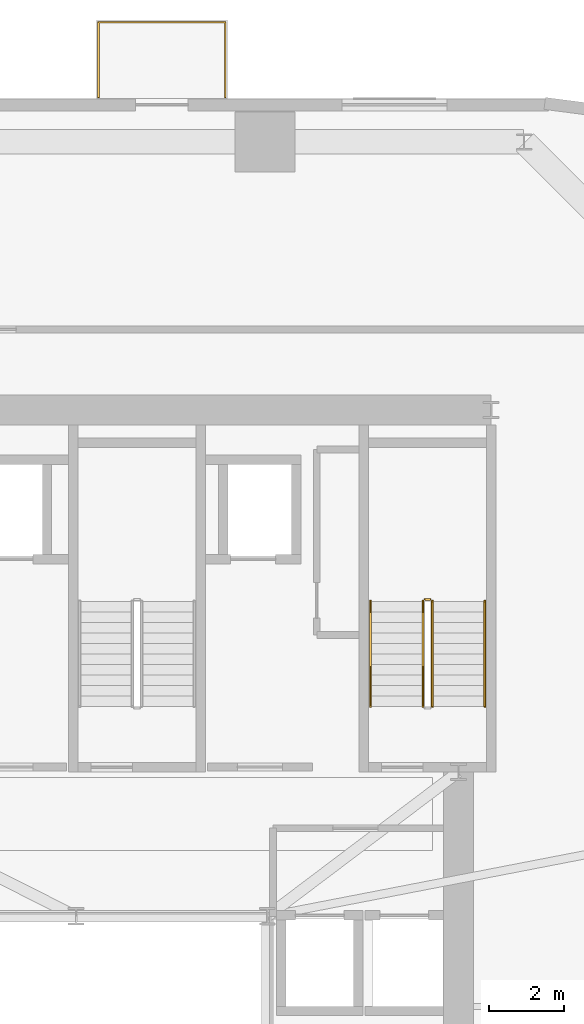
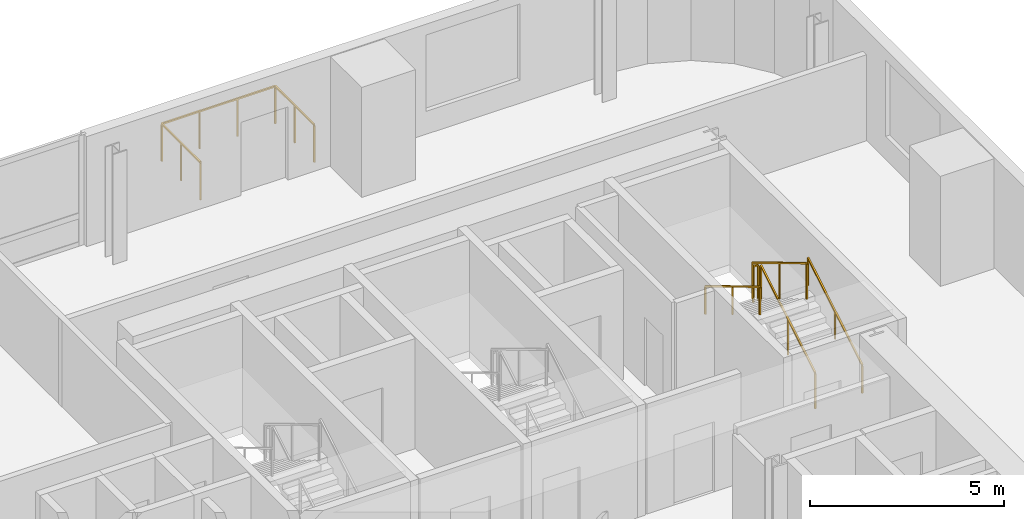
# One storey, part 14 of 14: 6 railings.
"""IFC4 building model written with IfcOpenShell, lengths in metres."""

import ifcopenshell
import ifcopenshell.guid

model = None  # the IFC model being written
_history = None  # IfcOwnerHistory: only IFC2X3 demands one
_inside = {}  # id of a spatial element -> (the spatial element, [elements in it])
_under = {}  # id of a project, library or spatial element -> (it, [spatial elements below it])
_declared = {}  # id of a project -> (the project, [libraries it declares])
_typed = {}  # id of a type object -> (the type object, [elements of that type])
_made_of = {}  # id of a material, layer set ... -> (it, [elements and type objects made of it])


def new_model(schema):
    """Start an empty IFC model of exactly this schema.

    Asked for "IFC4X3", IfcOpenShell would pick the latest addendum, in which some entities
    have other attributes; the version numbers below select the first issue.
    IFC2X3 requires an IfcOwnerHistory on every rooted entity: one is made here for all.
    """
    global model, _history
    if schema == "IFC4X3":
        model = ifcopenshell.file(schema_version=(4, 3, 0, 0))
    else:
        model = ifcopenshell.file(schema=schema)
    _inside.clear()
    _under.clear()
    _declared.clear()
    _typed.clear()
    _made_of.clear()
    _history = None
    if model.schema == "IFC2X3":
        org = make("IfcOrganization", Name="unknown")
        user = make(
            "IfcPersonAndOrganization",
            ThePerson=make("IfcPerson", FamilyName="unknown"),
            TheOrganization=org,
        )
        app = make(
            "IfcApplication",
            ApplicationDeveloper=org,
            Version="unknown",
            ApplicationFullName="unknown",
            ApplicationIdentifier="unknown",
        )
        _history = make(
            "IfcOwnerHistory",
            OwningUser=user,
            OwningApplication=app,
            ChangeAction="ADDED",
            CreationDate=0,
        )
    return model


def make(cls, **values):
    """One entity of the class cls with the attributes given. An attribute that is None is left unset."""
    return model.create_entity(
        cls, **{name: value for name, value in values.items() if value is not None}
    )


def rooted(cls, **values):
    """An entity with a GlobalId (a new one), such as an element, a storey or a relation."""
    return make(cls, GlobalId=ifcopenshell.guid.new(), OwnerHistory=_history, **values)


def si_unit(unit_type, name, prefix=None):
    """IfcSIUnit, for example si_unit("LENGTHUNIT", "METRE", prefix="MILLI")."""
    return make("IfcSIUnit", UnitType=unit_type, Prefix=prefix, Name=name)


def assignment(units):
    """IfcUnitAssignment: the units of a project."""
    return None if units is None else make("IfcUnitAssignment", Units=units)


def point(xyz):
    """IfcCartesianPoint."""
    return None if xyz is None else make("IfcCartesianPoint", Coordinates=xyz)


def direction(xyz):
    """IfcDirection."""
    return None if xyz is None else make("IfcDirection", DirectionRatios=xyz)


def frame(location, z_axis=None, x_axis=None):
    """IfcAxis2Placement3D, a coordinate frame: its origin and axes. An axis left out is left unset."""
    return make(
        "IfcAxis2Placement3D",
        Location=point(location),
        Axis=direction(z_axis),
        RefDirection=direction(x_axis),
    )


def frame_2d(location, x_axis=None):
    """IfcAxis2Placement2D, a coordinate frame in the plane: its origin and x axis."""
    return make(
        "IfcAxis2Placement2D", Location=point(location), RefDirection=direction(x_axis)
    )


def origin():
    """The frame at (0, 0, 0) with its axes left unset."""
    return frame((0.0, 0.0, 0.0))


def origin_2d():
    """The frame at (0, 0) in the plane with its x axis left unset."""
    return frame_2d((0.0, 0.0))


def place(relative_to, where):
    """IfcLocalPlacement: puts the frame where relative to a parent placement (None: the world)."""
    return make(
        "IfcLocalPlacement", PlacementRelTo=relative_to, RelativePlacement=where
    )


def context(
    kind, dimensions, precision=None, world=None, true_north=None, identifier=None
):
    """IfcGeometricRepresentationContext, for example the 3D "Model" context."""
    return make(
        "IfcGeometricRepresentationContext",
        ContextIdentifier=identifier,
        ContextType=kind,
        CoordinateSpaceDimension=dimensions,
        Precision=precision,
        WorldCoordinateSystem=world,
        TrueNorth=true_north,
    )


def subcontext(parent, identifier, kind, view, scale=None):
    """IfcGeometricRepresentationSubContext, for example "Body" below "Model"."""
    return make(
        "IfcGeometricRepresentationSubContext",
        ContextIdentifier=identifier,
        ContextType=kind,
        ParentContext=parent,
        TargetScale=scale,
        TargetView=view,
    )


def project(units=None, contexts=None):
    """IfcProject with its units and contexts."""
    return rooted(
        "IfcProject",
        Name="project",
        RepresentationContexts=contexts,
        UnitsInContext=assignment(units),
    )


def spatial(cls, under=None, at=None, **own):
    """A site, building, storey or space (cls), placed at a placement, below another one or the project."""
    s = rooted(cls, ObjectPlacement=at, **own)
    if under is not None:
        _under.setdefault(under.id(), (under, []))[1].append(s)
    return s


def profile(cls, at=None, kind="AREA", **sizes):
    """A parametric profile (cls). Its sizes go by their IFC names, for example OverallWidth=200.0."""
    return make(cls, ProfileType=kind, Position=at, **sizes)


def rectangle(**sizes):
    """IfcRectangleProfileDef."""
    return profile("IfcRectangleProfileDef", **sizes)


def extrude(swept, where, along, depth):
    """IfcExtrudedAreaSolid: the profile swept, set in the frame where, extruded along a direction by depth."""
    return make(
        "IfcExtrudedAreaSolid",
        SweptArea=swept,
        Position=where,
        ExtrudedDirection=direction(along),
        Depth=depth,
    )


def shape(context_of_items, identifier, shape_type, items):
    """IfcShapeRepresentation: the items that make up one representation, for example the "Body"."""
    return make(
        "IfcShapeRepresentation",
        ContextOfItems=context_of_items,
        RepresentationIdentifier=identifier,
        RepresentationType=shape_type,
        Items=items,
    )


def source(mapping_origin, context_of_items, identifier, shape_type, items):
    """IfcRepresentationMap: a shape defined once, which mapped items show again and again."""
    return make(
        "IfcRepresentationMap",
        MappingOrigin=mapping_origin,
        MappedRepresentation=shape(context_of_items, identifier, shape_type, items),
    )


def transform(
    local_origin,
    x_axis=None,
    y_axis=None,
    z_axis=None,
    scale=None,
    scale2=None,
    scale3=None,
    uniform=True,
):
    """IfcCartesianTransformationOperator3D, or its non-uniform kind. x_axis, y_axis, z_axis: its Axis1, 2, 3."""
    if uniform:
        return make(
            "IfcCartesianTransformationOperator3D",
            Axis1=direction(x_axis),
            Axis2=direction(y_axis),
            LocalOrigin=point(local_origin),
            Scale=scale,
            Axis3=direction(z_axis),
        )
    return make(
        "IfcCartesianTransformationOperator3DnonUniform",
        Axis1=direction(x_axis),
        Axis2=direction(y_axis),
        LocalOrigin=point(local_origin),
        Scale=scale,
        Axis3=direction(z_axis),
        Scale2=scale2,
        Scale3=scale3,
    )


def mapped(mapping_source, mapping_target):
    """IfcMappedItem: shows the shape of a source again, moved by a transform."""
    return make(
        "IfcMappedItem", MappingSource=mapping_source, MappingTarget=mapping_target
    )


def material(Name=None, Category=None):
    """IfcMaterial."""
    return make("IfcMaterial", Name=Name, Category=Category)


def made_of(thing, what):
    """Note that an element or type object is made of a material, layer set ...; save() writes the relation."""
    if what is not None:
        _made_of.setdefault(what.id(), (what, []))[1].append(thing)
    return thing


def type_object(cls, material=None, **own):
    """A type object (cls), such as IfcWallType, which elements share."""
    return made_of(rooted(cls, **own), material)


def element(
    cls,
    number,
    at=None,
    inside=None,
    cuts=None,
    type_object=None,
    material=None,
    context=None,
    identifier="Body",
    shape_type=None,
    held_by="IfcProductDefinitionShape",
    body=None,
    shapes=None,
    **own,
):
    """One element of the class cls, such as IfcWall. Its Tag is "e" and its number.

    at: its placement. inside: the storey or other place that contains it. cuts: it is an
    opening in that element (IfcRelVoidsElement). A single representation is given by context,
    identifier, shape_type and body (its items); several are given by shapes. held_by: the class
    of the entity that holds the representations. save() writes the other relations.
    """
    e = rooted(cls, Tag="e%d" % number, ObjectPlacement=at, **own)
    if body is not None:
        shapes = [shape(context, identifier, shape_type, body)]
    if shapes is not None:
        e.Representation = make(held_by, Representations=shapes)
    if inside is not None:
        _inside.setdefault(inside.id(), (inside, []))[1].append(e)
    if cuts is not None:
        rooted(
            "IfcRelVoidsElement", RelatingBuildingElement=cuts, RelatedOpeningElement=e
        )
    if type_object is not None:
        _typed.setdefault(type_object.id(), (type_object, []))[1].append(e)
    return made_of(e, material)


def aggregate(whole, parts):
    """IfcRelAggregates: a whole, such as a stair, and the parts it consists of."""
    return rooted("IfcRelAggregates", RelatingObject=whole, RelatedObjects=parts)


def save(model, path):
    """Write the relations noted so far, then the file.

    IfcRelAggregates (storeys below a building ...), IfcRelContainedInSpatialStructure (elements
    in a storey), IfcRelDefinesByType, IfcRelAssociatesMaterial and IfcRelDeclares: one each for
    every whole, place, type object, material and project.
    """
    for whole, parts in _under.values():
        aggregate(whole, parts)
    for where, things in _inside.values():
        rooted(
            "IfcRelContainedInSpatialStructure",
            RelatedElements=things,
            RelatingStructure=where,
        )
    for kind, things in _typed.values():
        rooted("IfcRelDefinesByType", RelatedObjects=things, RelatingType=kind)
    for what, things in _made_of.values():
        rooted("IfcRelAssociatesMaterial", RelatedObjects=things, RelatingMaterial=what)
    for by, libraries in _declared.values():
        rooted("IfcRelDeclares", RelatingContext=by, RelatedDefinitions=libraries)
    model.write(path)


model = new_model("IFC4")

# Units and contexts
model_context = context("Model", 3, precision=1e-05, world=origin(), true_north=direction((0.0, 1.0)))
body_context = subcontext(model_context, "Body", "Model", "MODEL_VIEW")
ifc_project = project(units=[si_unit("LENGTHUNIT", "METRE"), si_unit("AREAUNIT", "SQUARE_METRE"), si_unit("VOLUMEUNIT", "CUBIC_METRE"), si_unit("PLANEANGLEUNIT", "RADIAN"), si_unit("MASSUNIT", "GRAM", prefix="KILO")], contexts=[model_context])

# Site, building, storey
site_placement = place(None, origin())
site = spatial("IfcSite", under=ifc_project, at=site_placement, CompositionType="ELEMENT")
building_placement = place(site_placement, origin())
building = spatial("IfcBuilding", under=site, at=building_placement, Name="Vardaveli Station Tower", CompositionType="ELEMENT")
storey_placement = place(building_placement, frame((0.0, 0.0, 133.5)))
storey = spatial("IfcBuildingStorey", under=building, at=storey_placement, Name="L34", CompositionType="ELEMENT", Elevation=133.5)

# Railings
ifc_material_1 = material(Name="Laminated glass and stainless steel balustrade", Category="steel")
railing_type_1 = type_object("IfcRailingType", Name="RL-BAL-1200", PredefinedType="BALUSTRADE", material=ifc_material_1)
shared_shape_1 = source(origin(), body_context, "Body", "SweptSolid", [
    extrude(rectangle(XDim=0.048095703125, YDim=0.048095703125, at=origin_2d()), frame((0.0, 0.0, 1.17578125), z_axis=(0.0, 1.0, 0.0), x_axis=(-1.0, 0.0, 0.0)), (0.0, 0.0, 1.0), 2.0),
    extrude(rectangle(XDim=0.048095703125, YDim=0.048095703125, at=origin_2d()), frame((0.0, 2.0, 1.17578125), z_axis=(1.0, 0.0, 0.0), x_axis=(0.0, 1.0, 0.0)), (0.0, 0.0, 1.0), 3.3798828125),
    extrude(rectangle(XDim=0.048095703125, YDim=0.048095703125, at=origin_2d()), frame((3.3798828125, 2.0, 1.17578125), z_axis=(0.0, -1.0, 0.0), x_axis=(1.0, 0.0, 0.0)), (0.0, 0.0, 1.0), 2.0),
    extrude(rectangle(XDim=0.0419921875, YDim=0.0419921875, at=origin_2d()), origin(), (0.0, 0.0, 1.0), 1.15185546875),
    extrude(rectangle(XDim=0.0419921875, YDim=0.0419921875, at=origin_2d()), frame((0.0, 1.0, 0.0)), (0.0, 0.0, 1.0), 1.15185546875),
    extrude(rectangle(XDim=0.0419921875, YDim=0.0419921875, at=origin_2d()), frame((0.0, 2.0, 0.0)), (0.0, 0.0, 1.0), 1.15185546875),
    extrude(rectangle(XDim=0.0419921875, YDim=0.0419921875, at=origin_2d()), frame((1.126708984375, 2.0, 0.0)), (0.0, 0.0, 1.0), 1.15185546875),
    extrude(rectangle(XDim=0.0419921875, YDim=0.0419921875, at=origin_2d()), frame((2.253173828125, 2.0, 0.0)), (0.0, 0.0, 1.0), 1.15185546875),
    extrude(rectangle(XDim=0.0419921875, YDim=0.0419921875, at=origin_2d()), frame((3.3798828125, 2.0, 0.0)), (0.0, 0.0, 1.0), 1.15185546875),
    extrude(rectangle(XDim=0.0419921875, YDim=0.0419921875, at=origin_2d()), frame((3.3798828125, 1.0, 0.0)), (0.0, 0.0, 1.0), 1.15185546875),
    extrude(rectangle(XDim=0.0419921875, YDim=0.0419921875, at=origin_2d()), frame((3.3798828125, 0.0, 0.0)), (0.0, 0.0, 1.0), 1.15185546875),
])
railing_1_placement = place(storey_placement, frame((36.899658203125, 48.639892578125, 0.0)))
element("IfcRailing", 1, at=railing_1_placement, inside=storey, type_object=railing_type_1, Name="RL-LOG-L34-02", PredefinedType="BALUSTRADE", context=body_context, shape_type="MappedRepresentation", body=[
    mapped(shared_shape_1, transform((0.0, 0.0, 0.0), scale=1.0)),
])
ifc_material_2 = material(Name="Brushed AISI 316 stainless steel", Category="steel")
railing_type_2 = type_object("IfcRailingType", Name="RL-GUARD-1150", PredefinedType="GUARDRAIL", material=ifc_material_2)
shared_shape_2 = source(origin(), body_context, "Body", "SweptSolid", [
    extrude(rectangle(XDim=0.048095703125, YDim=0.048095703125, at=origin_2d()), frame((0.0, 0.0, 1.1259765625), z_axis=(-1.0, 0.0, 0.0), x_axis=(0.0, -1.0, 0.0)), (0.0, 0.0, 1.0), 0.14990234375),
    extrude(rectangle(XDim=0.0419921875, YDim=0.0419921875, at=origin_2d()), origin(), (0.0, 0.0, 1.0), 1.101806640625),
    extrude(rectangle(XDim=0.0419921875, YDim=0.0419921875, at=origin_2d()), frame((-0.14990234375, 0.0, 0.0)), (0.0, 0.0, 1.0), 1.101806640625),
])
railing_2_placement = place(storey_placement, frame((45.75, 35.25, 1.85009765625)))
element("IfcRailing", 2, at=railing_2_placement, inside=storey, type_object=railing_type_2, Name="L34 ST-3 stair guard 2", PredefinedType="GUARDRAIL", context=body_context, shape_type="MappedRepresentation", body=[
    mapped(shared_shape_2, transform((0.0, 0.0, 0.0), scale=1.0)),
])
shared_shape_3 = source(origin(), body_context, "Body", "SweptSolid", [
    extrude(rectangle(XDim=0.048095703125, YDim=0.048095703125, at=origin_2d()), frame((0.0, 0.0, 1.1259765625), z_axis=(0.0, -0.857242210791, 0.514913383045), x_axis=(1.0, 0.0, 0.0)), (0.0, 0.0, 1.0), 3.266357421875),
    extrude(rectangle(XDim=0.0419921875, YDim=0.0419921875, at=origin_2d()), origin(), (0.0, 0.0, 1.0), 1.101806640625),
    extrude(rectangle(XDim=0.0419921875, YDim=0.0419921875, at=origin_2d()), frame((0.0, -1.39990234375, 0.8408203125)), (0.0, 0.0, 1.0), 1.101806640625),
    extrude(rectangle(XDim=0.0419921875, YDim=0.0419921875, at=origin_2d()), frame((0.0, -2.800048828125, 1.681884765625)), (0.0, 0.0, 1.0), 1.101806640625),
])
railing_3_placement = place(storey_placement, frame((45.550048828125, 35.199951171875, 2.01806640625)))
element("IfcRailing", 3, at=railing_3_placement, inside=storey, type_object=railing_type_2, Name="L34 ST-3 stair guard 3", PredefinedType="GUARDRAIL", context=body_context, shape_type="MappedRepresentation", body=[
    mapped(shared_shape_3, transform((0.0, 0.0, 0.0), scale=1.0)),
])
railing_type_3 = type_object("IfcRailingType", Name="RL-HAND-900", PredefinedType="HANDRAIL", material=ifc_material_2)
shared_shape_4 = source(origin(), body_context, "Body", "SweptSolid", [
    extrude(rectangle(XDim=0.048095703125, YDim=0.048095703125, at=origin_2d()), frame((0.0, 0.0, 0.8759765625), z_axis=(0.0, -0.857242210791, 0.514913383045), x_axis=(1.0, 0.0, 0.0)), (0.0, 0.0, 1.0), 3.266357421875),
    extrude(rectangle(XDim=0.0419921875, YDim=0.0419921875, at=origin_2d()), origin(), (0.0, 0.0, 1.0), 0.851806640625),
    extrude(rectangle(XDim=0.0419921875, YDim=0.0419921875, at=origin_2d()), frame((0.0, -1.39990234375, 0.8408203125)), (0.0, 0.0, 1.0), 0.851806640625),
    extrude(rectangle(XDim=0.0419921875, YDim=0.0419921875, at=origin_2d()), frame((0.0, -2.800048828125, 1.681884765625)), (0.0, 0.0, 1.0), 0.851806640625),
])
railing_4_placement = place(storey_placement, frame((44.14990234375, 35.199951171875, 2.01806640625)))
element("IfcRailing", 4, at=railing_4_placement, inside=storey, type_object=railing_type_3, Name="L34 ST-3 stair handrail 2", PredefinedType="HANDRAIL", context=body_context, shape_type="MappedRepresentation", body=[
    mapped(shared_shape_4, transform((0.0, 0.0, 0.0), scale=1.0)),
])
shared_shape_5 = source(origin(), body_context, "Body", "SweptSolid", [
    extrude(rectangle(XDim=0.048095703125, YDim=0.048095703125, at=origin_2d()), frame((0.0, 0.0, 1.1259765625), z_axis=(0.0, 0.857242210791, 0.514913383045), x_axis=(-1.0, 0.0, 0.0)), (0.0, 0.0, 1.0), 3.266357421875),
    extrude(rectangle(XDim=0.0419921875, YDim=0.0419921875, at=origin_2d()), origin(), (0.0, 0.0, 1.0), 1.101806640625),
    extrude(rectangle(XDim=0.0419921875, YDim=0.0419921875, at=origin_2d()), frame((0.0, 1.39990234375, 0.8408203125)), (0.0, 0.0, 1.0), 1.101806640625),
    extrude(rectangle(XDim=0.0419921875, YDim=0.0419921875, at=origin_2d()), frame((0.0, 2.800048828125, 1.681884765625)), (0.0, 0.0, 1.0), 1.101806640625),
])
railing_5_placement = place(storey_placement, frame((45.800048828125, 32.39990234375, 0.168212890625)))
element("IfcRailing", 5, at=railing_5_placement, inside=storey, type_object=railing_type_2, Name="L34 ST-3 stair guard 1", PredefinedType="GUARDRAIL", context=body_context, shape_type="MappedRepresentation", body=[
    mapped(shared_shape_5, transform((0.0, 0.0, 0.0), scale=1.0)),
])
shared_shape_6 = source(origin(), body_context, "Body", "SweptSolid", [
    extrude(rectangle(XDim=0.048095703125, YDim=0.048095703125, at=origin_2d()), frame((0.0, 0.0, 0.8759765625), z_axis=(0.0, 0.857242210791, 0.514913383045), x_axis=(-1.0, 0.0, 0.0)), (0.0, 0.0, 1.0), 3.266357421875),
    extrude(rectangle(XDim=0.0419921875, YDim=0.0419921875, at=origin_2d()), origin(), (0.0, 0.0, 1.0), 0.851806640625),
    extrude(rectangle(XDim=0.0419921875, YDim=0.0419921875, at=origin_2d()), frame((0.0, 1.39990234375, 0.8408203125)), (0.0, 0.0, 1.0), 0.851806640625),
    extrude(rectangle(XDim=0.0419921875, YDim=0.0419921875, at=origin_2d()), frame((0.0, 2.800048828125, 1.681884765625)), (0.0, 0.0, 1.0), 0.851806640625),
])
railing_6_placement = place(storey_placement, frame((47.199951171875, 32.39990234375, 0.168212890625)))
element("IfcRailing", 6, at=railing_6_placement, inside=storey, type_object=railing_type_3, Name="L34 ST-3 stair handrail 1", PredefinedType="HANDRAIL", context=body_context, shape_type="MappedRepresentation", body=[
    mapped(shared_shape_6, transform((0.0, 0.0, 0.0), scale=1.0)),
])

save(model, "model.ifc")
